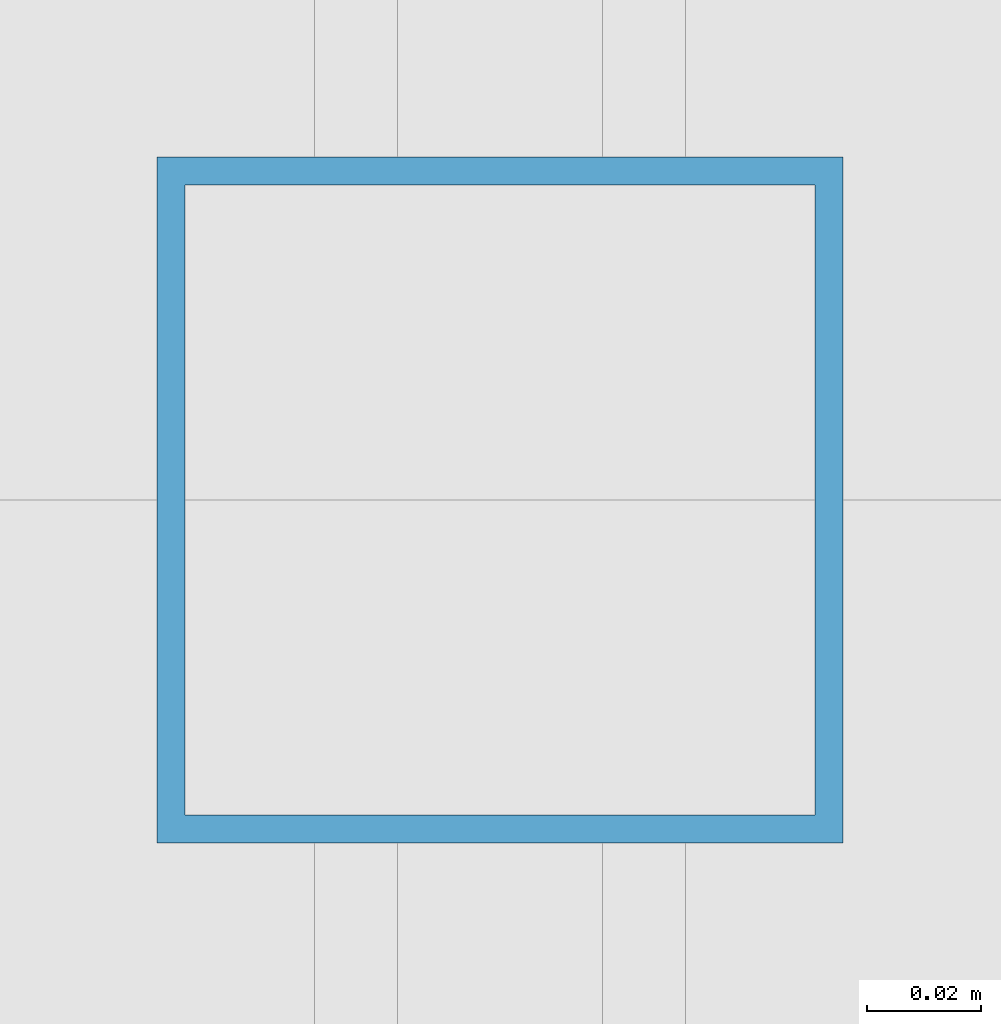
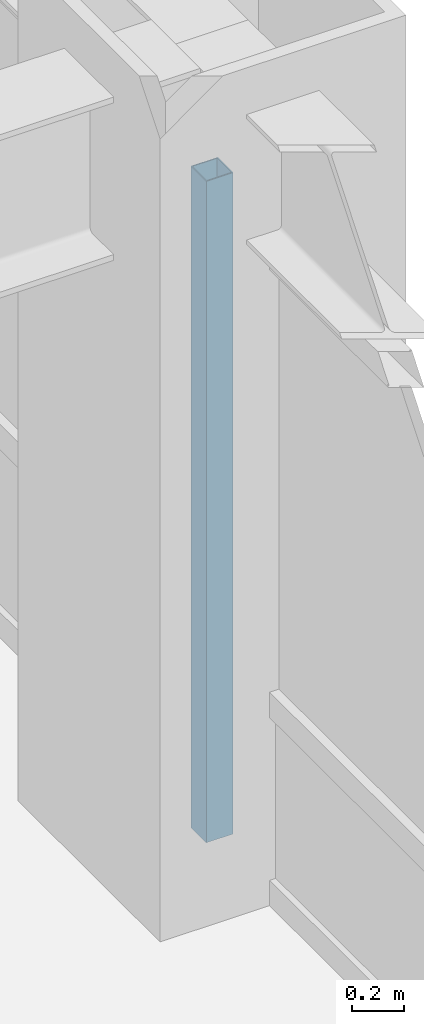
# One storey, part 10 of 24: 1 member, 1 element without a shape of its own.
"""IFC4 building model written with IfcOpenShell, lengths in metres."""

from ifc_helpers import new_model, si_unit, direction, frame, origin, origin_2d, place, context, subcontext, project, spatial, hollow_rectangle, extrude, source, transform, mapped, material, material_profile, profile_set, type_object, element, aggregate, save


model = new_model("IFC4")

# Units and contexts
model_context = context("Model", 3, precision=1e-05, world=origin(), true_north=direction((0.0, 1.0)))
body_context = subcontext(model_context, "Body", "Model", "MODEL_VIEW")
ifc_project = project(units=[si_unit("LENGTHUNIT", "METRE"), si_unit("AREAUNIT", "SQUARE_METRE"), si_unit("VOLUMEUNIT", "CUBIC_METRE"), si_unit("PLANEANGLEUNIT", "RADIAN"), si_unit("MASSUNIT", "GRAM", prefix="KILO")], contexts=[model_context])

# Site, building, storey
site_placement = place(None, origin())
site = spatial("IfcSite", under=ifc_project, at=site_placement, CompositionType="ELEMENT")
building_placement = place(site_placement, origin())
building = spatial("IfcBuilding", under=site, at=building_placement, Name="Khorayat Bourse Tower", CompositionType="ELEMENT")
storey_placement = place(building_placement, frame((0.0, 0.0, 167.10009765625)))
storey = spatial("IfcBuildingStorey", under=building, at=storey_placement, Name="L38", CompositionType="ELEMENT", Elevation=167.10009765625)

# Curtain wall, member
ifc_material = material(Name="Aluminium EN AW-6063 T6", Category="aluminium")
curtain_wall_type = type_object("IfcCurtainWallType", Name="CW-SYS-03", PredefinedType="NOTDEFINED", material=ifc_material)
curtain_wall_placement = place(storey_placement, origin())
curtain_wall = element("IfcCurtainWall", 1, at=curtain_wall_placement, inside=storey, type_object=curtain_wall_type, Name="L38 Curtain Wall CW-L38-E1", PredefinedType="NOTDEFINED")
ifc_material_profile = material_profile(ifc_material, hollow_rectangle(XDim=0.1201171875, YDim=0.1201171875, WallThickness=0.0048828125, at=origin_2d()), Name="ALU 120x120x5")
ifc_profile_set = profile_set([ifc_material_profile], Name="Aluminium EN AW-6063 T6")
member_type = type_object("IfcMemberType", Name="CWM-VERT-120", PredefinedType="MULLION", material=ifc_profile_set)
shared_shape = source(origin(), body_context, "Body", "SweptSolid", [
    extrude(hollow_rectangle(XDim=0.1201171875, YDim=0.1201171875, WallThickness=0.0048828125, at=origin_2d()), origin(), (0.0, 0.0, 1.0), 3.1298828125),
])
member_placement = place(storey_placement, frame((30.0, 0.0, 0.0), z_axis=(0.0, 0.0, 1.0), x_axis=(-1.0, 0.0, 0.0)))
member = element("IfcMember", 2, at=member_placement, type_object=member_type, Name="CW-L38-E1 Vertical Mullion 2", PredefinedType="MULLION", context=body_context, shape_type="MappedRepresentation", body=[
    mapped(shared_shape, transform((0.0, 0.0, 0.0), scale=1.0)),
])
aggregate(curtain_wall, [member])

save(model, "model.ifc")
